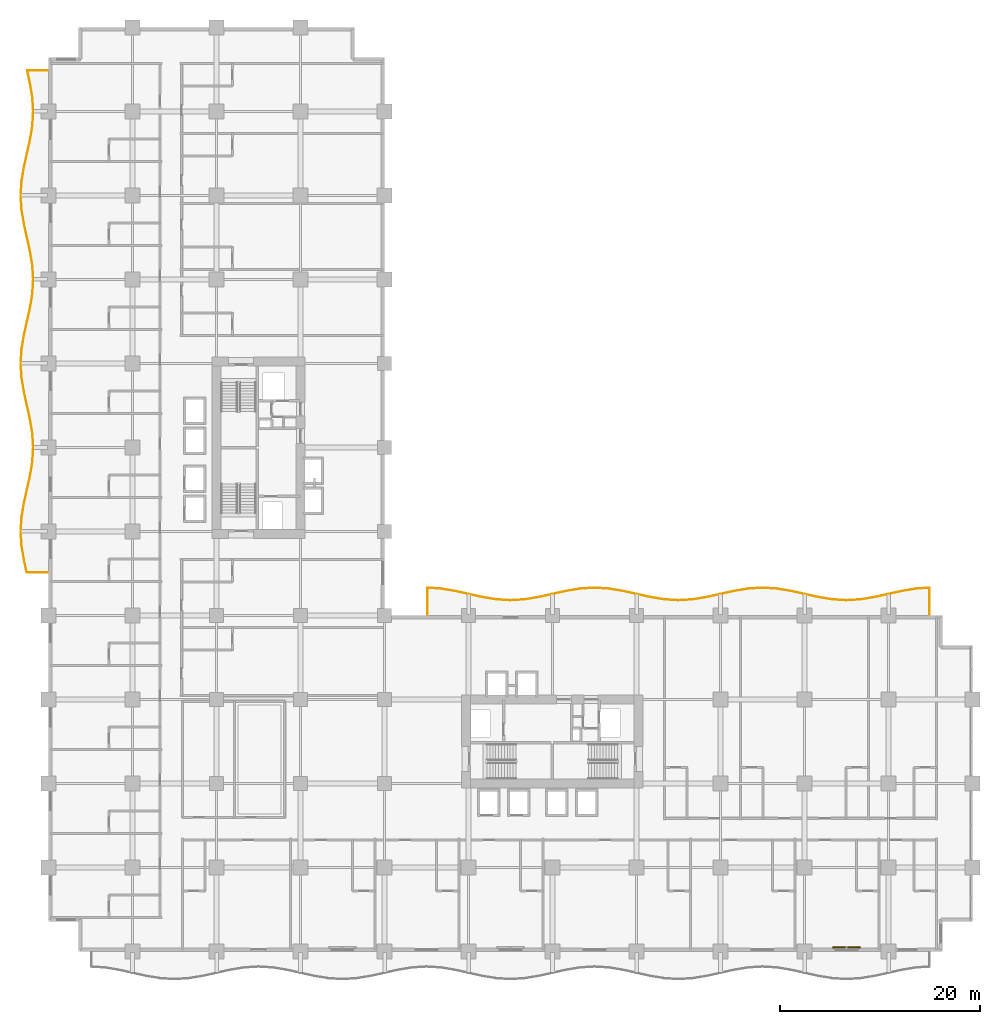
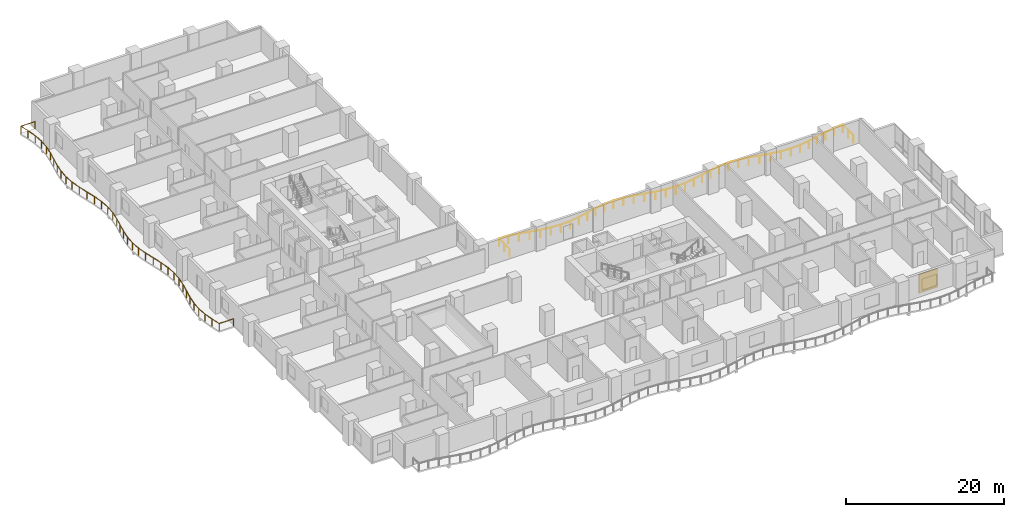
# One storey, part 26 of 26: 2 railings, 1 shading device.
"""IFC4 building model written with IfcOpenShell, lengths in metres."""

from ifc_helpers import new_model, si_unit, direction, frame, origin, origin_2d, place, context, subcontext, project, spatial, rectangle, circle, extrude, material, layer, layer_set, type_object, element, save


model = new_model("IFC4")

# Units and contexts
model_context = context("Model", 3, precision=1e-05, world=origin(), true_north=direction((0.0, 1.0)))
body_context = subcontext(model_context, "Body", "Model", "MODEL_VIEW")
ifc_project = project(units=[si_unit("LENGTHUNIT", "METRE"), si_unit("AREAUNIT", "SQUARE_METRE"), si_unit("VOLUMEUNIT", "CUBIC_METRE"), si_unit("PLANEANGLEUNIT", "RADIAN"), si_unit("MASSUNIT", "GRAM", prefix="KILO")], contexts=[model_context])

# Site, building, storey
site_placement = place(None, origin())
site = spatial("IfcSite", under=ifc_project, at=site_placement, CompositionType="ELEMENT")
building_placement = place(site_placement, origin())
building = spatial("IfcBuilding", under=site, at=building_placement, Name="Koriwani Terraces Tower", CompositionType="ELEMENT")
storey_placement = place(building_placement, frame((0.0, 0.0, 39.60009765625)))
storey = spatial("IfcBuildingStorey", under=building, at=storey_placement, Name="L08", CompositionType="ELEMENT", Elevation=39.60009765625)

# Railings
ifc_material_1 = material(Name="Steel ASTM A572 Grade 50", Category="steel")
railing_type = type_object("IfcRailingType", Name="GUARD_BALUSTRADE_1150", PredefinedType="BALUSTRADE", material=ifc_material_1)
railing_1_placement = place(storey_placement, frame((-0.080078125, 37.8798828125, 0.0)))
element("IfcRailing", 1, at=railing_1_placement, inside=storey, type_object=railing_type, Name="L08 Balcony Perimeter Safety Balustrade (W)", PredefinedType="BALUSTRADE", context=body_context, shape_type="SweptSolid", body=[
    extrude(circle(Radius=0.02392578125, at=origin_2d()), frame((0.0, 0.0, 1.1259765625), z_axis=(-1.0, 0.0, 0.0), x_axis=(0.0, -1.0, 0.0)), (0.0, 0.0, 1.0), 2.080810546875),
    extrude(circle(Radius=0.02392578125, at=origin_2d()), frame((-2.080810546875, 0.0, 1.1259765625), z_axis=(-0.217894011137, 0.97597243809, 0.0), x_axis=(-0.97597243809, -0.217894011137, 0.0)), (0.0, 0.0, 1.0), 1.3681640625),
    extrude(circle(Radius=0.02392578125, at=origin_2d()), frame((-2.37890625, 1.335205078125, 1.1259765625), z_axis=(-0.161286532042, 0.986907622111, 0.0), x_axis=(-0.986907622111, -0.161286532042, 0.0)), (0.0, 0.0, 1.0), 1.412353515625),
    extrude(circle(Radius=0.02392578125, at=origin_2d()), frame((-2.606689453125, 2.72900390625, 1.1259765625), z_axis=(-0.059738678687, 0.998214050326, 0.0), x_axis=(-0.998214050326, -0.059738678687, 0.0)), (0.0, 0.0, 1.0), 1.3935546875),
    extrude(circle(Radius=0.02392578125, at=origin_2d()), frame((-2.68994140625, 4.1201171875, 1.1259765625), z_axis=(0.059738678687, 0.998214050326, 0.0), x_axis=(-0.998214050326, 0.059738678687, 0.0)), (0.0, 0.0, 1.0), 1.3935546875),
    extrude(circle(Radius=0.02392578125, at=origin_2d()), frame((-2.606689453125, 5.51123046875, 1.1259765625), z_axis=(0.161286532042, 0.986907622111, 0.0), x_axis=(-0.986907622111, 0.161286532042, 0.0)), (0.0, 0.0, 1.0), 1.412353515625),
    extrude(circle(Radius=0.02392578125, at=origin_2d()), frame((-2.37890625, 6.905029296875, 1.1259765625), z_axis=(0.217867508535, 0.97597835464, 0.0), x_axis=(-0.97597835464, 0.217867508535, 0.0)), (0.0, 0.0, 1.0), 2.86865234375),
    extrude(circle(Radius=0.02392578125, at=origin_2d()), frame((-1.75390625, 9.704833984375, 1.1259765625), z_axis=(0.161203411159, 0.986921202645, 0.0), x_axis=(-0.986921202645, 0.161203411159, 0.0)), (0.0, 0.0, 1.0), 1.425048828125),
    extrude(circle(Radius=0.02392578125, at=origin_2d()), frame((-1.524169921875, 11.111328125, 1.1259765625), z_axis=(0.059685432622, 0.998217235442, 0.0), x_axis=(-0.998217235442, 0.059685432622, 0.0)), (0.0, 0.0, 1.0), 1.4111328125),
    extrude(circle(Radius=0.02392578125, at=origin_2d()), frame((-1.43994140625, 12.52001953125, 1.1259765625), z_axis=(-0.059675127152, 0.998217851573, 0.0), x_axis=(-0.998217851573, -0.059675127152, 0.0)), (0.0, 0.0, 1.0), 1.411376953125),
    extrude(circle(Radius=0.02392578125, at=origin_2d()), frame((-1.524169921875, 13.928955078125, 1.1259765625), z_axis=(-0.161230670401, 0.986916749742, 0.0), x_axis=(-0.986916749742, -0.161230670401, 0.0)), (0.0, 0.0, 1.0), 1.4248046875),
    extrude(circle(Radius=0.02392578125, at=origin_2d()), frame((-1.75390625, 15.335205078125, 1.1259765625), z_axis=(-0.217849413893, 0.975982393728, 0.0), x_axis=(-0.975982393728, -0.217849413893, 0.0)), (0.0, 0.0, 1.0), 2.868896484375),
    extrude(circle(Radius=0.02392578125, at=origin_2d()), frame((-2.37890625, 18.13525390625, 1.1259765625), z_axis=(-0.161286532042, 0.986907622111, 0.0), x_axis=(-0.986907622111, -0.161286532042, 0.0)), (0.0, 0.0, 1.0), 1.412353515625),
    extrude(circle(Radius=0.02392578125, at=origin_2d()), frame((-2.606689453125, 19.529052734375, 1.1259765625), z_axis=(-0.059738678687, 0.998214050326, 0.0), x_axis=(-0.998214050326, -0.059738678687, 0.0)), (0.0, 0.0, 1.0), 1.3935546875),
    extrude(circle(Radius=0.02392578125, at=origin_2d()), frame((-2.68994140625, 20.920166015625, 1.1259765625), z_axis=(0.059738678687, 0.998214050326, 0.0), x_axis=(-0.998214050326, 0.059738678687, 0.0)), (0.0, 0.0, 1.0), 1.3935546875),
    extrude(circle(Radius=0.02392578125, at=origin_2d()), frame((-2.606689453125, 22.311279296875, 1.1259765625), z_axis=(0.16131405304, 0.986903124066, 0.0), x_axis=(-0.986903124066, 0.16131405304, 0.0)), (0.0, 0.0, 1.0), 1.412109375),
    extrude(circle(Radius=0.02392578125, at=origin_2d()), frame((-2.37890625, 23.704833984375, 1.1259765625), z_axis=(0.217849413893, 0.975982393728, 0.0), x_axis=(-0.975982393728, 0.217849413893, 0.0)), (0.0, 0.0, 1.0), 2.868896484375),
    extrude(circle(Radius=0.02392578125, at=origin_2d()), frame((-1.75390625, 26.5048828125, 1.1259765625), z_axis=(0.161203411159, 0.986921202645, 0.0), x_axis=(-0.986921202645, 0.161203411159, 0.0)), (0.0, 0.0, 1.0), 1.425048828125),
    extrude(circle(Radius=0.02392578125, at=origin_2d()), frame((-1.524169921875, 27.911376953125, 1.1259765625), z_axis=(0.059685432622, 0.998217235442, 0.0), x_axis=(-0.998217235442, 0.059685432622, 0.0)), (0.0, 0.0, 1.0), 1.4111328125),
    extrude(circle(Radius=0.02392578125, at=origin_2d()), frame((-1.43994140625, 29.320068359375, 1.1259765625), z_axis=(-0.059675127152, 0.998217851573, 0.0), x_axis=(-0.998217851573, -0.059675127152, 0.0)), (0.0, 0.0, 1.0), 1.411376953125),
    extrude(circle(Radius=0.02392578125, at=origin_2d()), frame((-1.524169921875, 30.72900390625, 1.1259765625), z_axis=(-0.161230670401, 0.986916749742, 0.0), x_axis=(-0.986916749742, -0.161230670401, 0.0)), (0.0, 0.0, 1.0), 1.4248046875),
    extrude(circle(Radius=0.02392578125, at=origin_2d()), frame((-1.75390625, 32.13525390625, 1.1259765625), z_axis=(-0.217849413893, 0.975982393728, 0.0), x_axis=(-0.975982393728, -0.217849413893, 0.0)), (0.0, 0.0, 1.0), 2.868896484375),
    extrude(circle(Radius=0.02392578125, at=origin_2d()), frame((-2.37890625, 34.935302734375, 1.1259765625), z_axis=(-0.161286532042, 0.986907622111, 0.0), x_axis=(-0.986907622111, -0.161286532042, 0.0)), (0.0, 0.0, 1.0), 1.412353515625),
    extrude(circle(Radius=0.02392578125, at=origin_2d()), frame((-2.606689453125, 36.3291015625, 1.1259765625), z_axis=(-0.059738678687, 0.998214050326, 0.0), x_axis=(-0.998214050326, -0.059738678687, 0.0)), (0.0, 0.0, 1.0), 1.3935546875),
    extrude(circle(Radius=0.02392578125, at=origin_2d()), frame((-2.68994140625, 37.72021484375, 1.1259765625), z_axis=(0.059738678687, 0.998214050326, 0.0), x_axis=(-0.998214050326, 0.059738678687, 0.0)), (0.0, 0.0, 1.0), 1.3935546875),
    extrude(circle(Radius=0.02392578125, at=origin_2d()), frame((-2.606689453125, 39.111328125, 1.1259765625), z_axis=(0.16131405304, 0.986903124066, 0.0), x_axis=(-0.986903124066, 0.16131405304, 0.0)), (0.0, 0.0, 1.0), 1.412109375),
    extrude(circle(Radius=0.02392578125, at=origin_2d()), frame((-2.37890625, 40.5048828125, 1.1259765625), z_axis=(0.217849413893, 0.975982393728, 0.0), x_axis=(-0.975982393728, 0.217849413893, 0.0)), (0.0, 0.0, 1.0), 2.868896484375),
    extrude(circle(Radius=0.02392578125, at=origin_2d()), frame((-1.75390625, 43.304931640625, 1.1259765625), z_axis=(0.161203411159, 0.986921202645, 0.0), x_axis=(-0.986921202645, 0.161203411159, 0.0)), (0.0, 0.0, 1.0), 1.425048828125),
    extrude(circle(Radius=0.02392578125, at=origin_2d()), frame((-1.524169921875, 44.71142578125, 1.1259765625), z_axis=(0.059685432622, 0.998217235442, 0.0), x_axis=(-0.998217235442, 0.059685432622, 0.0)), (0.0, 0.0, 1.0), 1.4111328125),
    extrude(circle(Radius=0.02392578125, at=origin_2d()), frame((-1.43994140625, 46.1201171875, 1.1259765625), z_axis=(-0.059685432622, 0.998217235442, 0.0), x_axis=(-0.998217235442, -0.059685432622, 0.0)), (0.0, 0.0, 1.0), 1.4111328125),
    extrude(circle(Radius=0.02392578125, at=origin_2d()), frame((-1.524169921875, 47.52880859375, 1.1259765625), z_axis=(-0.161203411159, 0.986921202645, 0.0), x_axis=(-0.986921202645, -0.161203411159, 0.0)), (0.0, 0.0, 1.0), 1.425048828125),
    extrude(circle(Radius=0.02392578125, at=origin_2d()), frame((-1.75390625, 48.935302734375, 1.1259765625), z_axis=(-0.217839055917, 0.975984705678, 0.0), x_axis=(-0.975984705678, -0.217839055917, 0.0)), (0.0, 0.0, 1.0), 1.337158203125),
    extrude(circle(Radius=0.02392578125, at=origin_2d()), frame((-2.045166015625, 50.240234375, 1.1259765625), z_axis=(1.0, 0.0, 0.0), x_axis=(0.0, 1.0, 0.0)), (0.0, 0.0, 1.0), 2.045166015625),
    extrude(circle(Radius=0.02099609375, at=origin_2d()), origin(), (0.0, 0.0, 1.0), 1.101806640625),
    extrude(circle(Radius=0.02099609375, at=origin_2d()), frame((-2.080810546875, 0.0, 0.0)), (0.0, 0.0, 1.0), 1.101806640625),
    extrude(circle(Radius=0.02099609375, at=origin_2d()), frame((-2.37890625, 1.335205078125, 0.0)), (0.0, 0.0, 1.0), 1.101806640625),
    extrude(circle(Radius=0.02099609375, at=origin_2d()), frame((-2.606689453125, 2.72900390625, 0.0)), (0.0, 0.0, 1.0), 1.101806640625),
    extrude(circle(Radius=0.02099609375, at=origin_2d()), frame((-2.68994140625, 4.1201171875, 0.0)), (0.0, 0.0, 1.0), 1.101806640625),
    extrude(circle(Radius=0.02099609375, at=origin_2d()), frame((-2.606689453125, 5.51123046875, 0.0)), (0.0, 0.0, 1.0), 1.101806640625),
    extrude(circle(Radius=0.02099609375, at=origin_2d()), frame((-2.37890625, 6.905029296875, 0.0)), (0.0, 0.0, 1.0), 1.101806640625),
    extrude(circle(Radius=0.02099609375, at=origin_2d()), frame((-2.06640625, 8.304931640625, 0.0)), (0.0, 0.0, 1.0), 1.101806640625),
    extrude(circle(Radius=0.02099609375, at=origin_2d()), frame((-1.75390625, 9.704833984375, 0.0)), (0.0, 0.0, 1.0), 1.101806640625),
    extrude(circle(Radius=0.02099609375, at=origin_2d()), frame((-1.524169921875, 11.111328125, 0.0)), (0.0, 0.0, 1.0), 1.101806640625),
    extrude(circle(Radius=0.02099609375, at=origin_2d()), frame((-1.43994140625, 12.52001953125, 0.0)), (0.0, 0.0, 1.0), 1.101806640625),
    extrude(circle(Radius=0.02099609375, at=origin_2d()), frame((-1.524169921875, 13.928955078125, 0.0)), (0.0, 0.0, 1.0), 1.101806640625),
    extrude(circle(Radius=0.02099609375, at=origin_2d()), frame((-1.75390625, 15.335205078125, 0.0)), (0.0, 0.0, 1.0), 1.101806640625),
    extrude(circle(Radius=0.02099609375, at=origin_2d()), frame((-2.06640625, 16.7353515625, 0.0)), (0.0, 0.0, 1.0), 1.101806640625),
    extrude(circle(Radius=0.02099609375, at=origin_2d()), frame((-2.37890625, 18.13525390625, 0.0)), (0.0, 0.0, 1.0), 1.101806640625),
    extrude(circle(Radius=0.02099609375, at=origin_2d()), frame((-2.606689453125, 19.529052734375, 0.0)), (0.0, 0.0, 1.0), 1.101806640625),
    extrude(circle(Radius=0.02099609375, at=origin_2d()), frame((-2.68994140625, 20.920166015625, 0.0)), (0.0, 0.0, 1.0), 1.101806640625),
    extrude(circle(Radius=0.02099609375, at=origin_2d()), frame((-2.606689453125, 22.311279296875, 0.0)), (0.0, 0.0, 1.0), 1.101806640625),
    extrude(circle(Radius=0.02099609375, at=origin_2d()), frame((-2.37890625, 23.704833984375, 0.0)), (0.0, 0.0, 1.0), 1.101806640625),
    extrude(circle(Radius=0.02099609375, at=origin_2d()), frame((-2.06640625, 25.10498046875, 0.0)), (0.0, 0.0, 1.0), 1.101806640625),
    extrude(circle(Radius=0.02099609375, at=origin_2d()), frame((-1.75390625, 26.5048828125, 0.0)), (0.0, 0.0, 1.0), 1.101806640625),
    extrude(circle(Radius=0.02099609375, at=origin_2d()), frame((-1.524169921875, 27.911376953125, 0.0)), (0.0, 0.0, 1.0), 1.101806640625),
    extrude(circle(Radius=0.02099609375, at=origin_2d()), frame((-1.43994140625, 29.320068359375, 0.0)), (0.0, 0.0, 1.0), 1.101806640625),
    extrude(circle(Radius=0.02099609375, at=origin_2d()), frame((-1.524169921875, 30.72900390625, 0.0)), (0.0, 0.0, 1.0), 1.101806640625),
    extrude(circle(Radius=0.02099609375, at=origin_2d()), frame((-1.75390625, 32.13525390625, 0.0)), (0.0, 0.0, 1.0), 1.101806640625),
    extrude(circle(Radius=0.02099609375, at=origin_2d()), frame((-2.06640625, 33.53515625, 0.0)), (0.0, 0.0, 1.0), 1.101806640625),
    extrude(circle(Radius=0.02099609375, at=origin_2d()), frame((-2.37890625, 34.935302734375, 0.0)), (0.0, 0.0, 1.0), 1.101806640625),
    extrude(circle(Radius=0.02099609375, at=origin_2d()), frame((-2.606689453125, 36.3291015625, 0.0)), (0.0, 0.0, 1.0), 1.101806640625),
    extrude(circle(Radius=0.02099609375, at=origin_2d()), frame((-2.68994140625, 37.72021484375, 0.0)), (0.0, 0.0, 1.0), 1.101806640625),
    extrude(circle(Radius=0.02099609375, at=origin_2d()), frame((-2.606689453125, 39.111328125, 0.0)), (0.0, 0.0, 1.0), 1.101806640625),
    extrude(circle(Radius=0.02099609375, at=origin_2d()), frame((-2.37890625, 40.5048828125, 0.0)), (0.0, 0.0, 1.0), 1.101806640625),
    extrude(circle(Radius=0.02099609375, at=origin_2d()), frame((-2.06640625, 41.90478515625, 0.0)), (0.0, 0.0, 1.0), 1.101806640625),
    extrude(circle(Radius=0.02099609375, at=origin_2d()), frame((-1.75390625, 43.304931640625, 0.0)), (0.0, 0.0, 1.0), 1.101806640625),
    extrude(circle(Radius=0.02099609375, at=origin_2d()), frame((-1.524169921875, 44.71142578125, 0.0)), (0.0, 0.0, 1.0), 1.101806640625),
    extrude(circle(Radius=0.02099609375, at=origin_2d()), frame((-1.43994140625, 46.1201171875, 0.0)), (0.0, 0.0, 1.0), 1.101806640625),
    extrude(circle(Radius=0.02099609375, at=origin_2d()), frame((-1.524169921875, 47.52880859375, 0.0)), (0.0, 0.0, 1.0), 1.101806640625),
    extrude(circle(Radius=0.02099609375, at=origin_2d()), frame((-1.75390625, 48.935302734375, 0.0)), (0.0, 0.0, 1.0), 1.101806640625),
    extrude(circle(Radius=0.02099609375, at=origin_2d()), frame((-2.045166015625, 50.240234375, 0.0)), (0.0, 0.0, 1.0), 1.101806640625),
    extrude(circle(Radius=0.02099609375, at=origin_2d()), frame((0.0, 50.240234375, 0.0)), (0.0, 0.0, 1.0), 1.101806640625),
])
railing_2_placement = place(storey_placement, frame((88.1201171875, 33.679931640625, 0.0)))
element("IfcRailing", 2, at=railing_2_placement, inside=storey, type_object=railing_type, Name="L08 Balcony Perimeter Safety Balustrade (NE)", PredefinedType="BALUSTRADE", context=body_context, shape_type="SweptSolid", body=[
    extrude(circle(Radius=0.02392578125, at=origin_2d()), frame((0.0, 0.0, 1.1259765625), z_axis=(0.0, 1.0, 0.0), x_axis=(-1.0, 0.0, 0.0)), (0.0, 0.0, 1.0), 2.68505859375),
    extrude(circle(Radius=0.02392578125, at=origin_2d()), frame((0.0, 2.68505859375, 1.1259765625), z_axis=(-0.998218818314, -0.059658953766, 0.0), x_axis=(0.059658953766, -0.998218818314, 0.0)), (0.0, 0.0, 1.0), 1.313720703125),
    extrude(circle(Radius=0.02392578125, at=origin_2d()), frame((-1.311279296875, 2.606689453125, 1.1259765625), z_axis=(-0.986903124066, -0.16131405304, 0.0), x_axis=(0.16131405304, -0.986903124066, 0.0)), (0.0, 0.0, 1.0), 1.412109375),
    extrude(circle(Radius=0.02392578125, at=origin_2d()), frame((-2.704833984375, 2.37890625, 1.1259765625), z_axis=(-0.976000483873, -0.217768352797, 0.0), x_axis=(0.217768352797, -0.976000483873, 0.0)), (0.0, 0.0, 1.0), 2.868896484375),
    extrude(circle(Radius=0.02392578125, at=origin_2d()), frame((-5.5048828125, 1.754150390625, 1.1259765625), z_axis=(-0.986921202645, -0.161203411159, 0.0), x_axis=(0.161203411159, -0.986921202645, 0.0)), (0.0, 0.0, 1.0), 1.425048828125),
    extrude(circle(Radius=0.02392578125, at=origin_2d()), frame((-6.911376953125, 1.5244140625, 1.1259765625), z_axis=(-0.998217235442, -0.059685432622, 0.0), x_axis=(0.059685432622, -0.998217235442, 0.0)), (0.0, 0.0, 1.0), 1.4111328125),
    extrude(circle(Radius=0.02392578125, at=origin_2d()), frame((-8.320068359375, 1.440185546875, 1.1259765625), z_axis=(-0.998217851573, 0.059675127152, 0.0), x_axis=(-0.059675127152, -0.998217851573, 0.0)), (0.0, 0.0, 1.0), 1.411376953125),
    extrude(circle(Radius=0.02392578125, at=origin_2d()), frame((-9.72900390625, 1.5244140625, 1.1259765625), z_axis=(-0.986916749742, 0.161230670401, 0.0), x_axis=(-0.161230670401, -0.986916749742, 0.0)), (0.0, 0.0, 1.0), 1.4248046875),
    extrude(circle(Radius=0.02392578125, at=origin_2d()), frame((-11.13525390625, 1.754150390625, 1.1259765625), z_axis=(-0.976000483873, 0.217768352797, 0.0), x_axis=(-0.217768352797, -0.976000483873, 0.0)), (0.0, 0.0, 1.0), 2.868896484375),
    extrude(circle(Radius=0.02392578125, at=origin_2d()), frame((-13.935302734375, 2.37890625, 1.1259765625), z_axis=(-0.986907622111, 0.161286532042, 0.0), x_axis=(-0.161286532042, -0.986907622111, 0.0)), (0.0, 0.0, 1.0), 1.412353515625),
    extrude(circle(Radius=0.02392578125, at=origin_2d()), frame((-15.3291015625, 2.606689453125, 1.1259765625), z_axis=(-0.998214050326, 0.059738678687, 0.0), x_axis=(-0.059738678687, -0.998214050326, 0.0)), (0.0, 0.0, 1.0), 1.3935546875),
    extrude(circle(Radius=0.02392578125, at=origin_2d()), frame((-16.72021484375, 2.68994140625, 1.1259765625), z_axis=(-0.998214050326, -0.059738678687, 0.0), x_axis=(0.059738678687, -0.998214050326, 0.0)), (0.0, 0.0, 1.0), 1.3935546875),
    extrude(circle(Radius=0.02392578125, at=origin_2d()), frame((-18.111328125, 2.606689453125, 1.1259765625), z_axis=(-0.986903124066, -0.16131405304, 0.0), x_axis=(0.16131405304, -0.986903124066, 0.0)), (0.0, 0.0, 1.0), 1.412109375),
    extrude(circle(Radius=0.02392578125, at=origin_2d()), frame((-19.5048828125, 2.37890625, 1.1259765625), z_axis=(-0.976000483873, -0.217768352797, 0.0), x_axis=(0.217768352797, -0.976000483873, 0.0)), (0.0, 0.0, 1.0), 2.868896484375),
    extrude(circle(Radius=0.02392578125, at=origin_2d()), frame((-22.304931640625, 1.754150390625, 1.1259765625), z_axis=(-0.986921202645, -0.161203411159, 0.0), x_axis=(0.161203411159, -0.986921202645, 0.0)), (0.0, 0.0, 1.0), 1.425048828125),
    extrude(circle(Radius=0.02392578125, at=origin_2d()), frame((-23.71142578125, 1.5244140625, 1.1259765625), z_axis=(-0.998217235442, -0.059685432622, 0.0), x_axis=(0.059685432622, -0.998217235442, 0.0)), (0.0, 0.0, 1.0), 1.4111328125),
    extrude(circle(Radius=0.02392578125, at=origin_2d()), frame((-25.1201171875, 1.440185546875, 1.1259765625), z_axis=(-0.998217235442, 0.059685432622, 0.0), x_axis=(-0.059685432622, -0.998217235442, 0.0)), (0.0, 0.0, 1.0), 1.4111328125),
    extrude(circle(Radius=0.02392578125, at=origin_2d()), frame((-26.52880859375, 1.5244140625, 1.1259765625), z_axis=(-0.986921202645, 0.161203411159, 0.0), x_axis=(-0.161203411159, -0.986921202645, 0.0)), (0.0, 0.0, 1.0), 1.425048828125),
    extrude(circle(Radius=0.02392578125, at=origin_2d()), frame((-27.935302734375, 1.754150390625, 1.1259765625), z_axis=(-0.976000483873, 0.217768352797, 0.0), x_axis=(-0.217768352797, -0.976000483873, 0.0)), (0.0, 0.0, 1.0), 2.868896484375),
    extrude(circle(Radius=0.02392578125, at=origin_2d()), frame((-30.7353515625, 2.37890625, 1.1259765625), z_axis=(-0.986903124066, 0.16131405304, 0.0), x_axis=(-0.16131405304, -0.986903124066, 0.0)), (0.0, 0.0, 1.0), 1.412109375),
    extrude(circle(Radius=0.02392578125, at=origin_2d()), frame((-32.12890625, 2.606689453125, 1.1259765625), z_axis=(-0.998214050326, 0.059738678687, 0.0), x_axis=(-0.059738678687, -0.998214050326, 0.0)), (0.0, 0.0, 1.0), 1.3935546875),
    extrude(circle(Radius=0.02392578125, at=origin_2d()), frame((-33.52001953125, 2.68994140625, 1.1259765625), z_axis=(-0.998214050326, -0.059738678687, 0.0), x_axis=(0.059738678687, -0.998214050326, 0.0)), (0.0, 0.0, 1.0), 1.3935546875),
    extrude(circle(Radius=0.02392578125, at=origin_2d()), frame((-34.9111328125, 2.606689453125, 1.1259765625), z_axis=(-0.986907622111, -0.161286532042, 0.0), x_axis=(0.161286532042, -0.986907622111, 0.0)), (0.0, 0.0, 1.0), 1.412353515625),
    extrude(circle(Radius=0.02392578125, at=origin_2d()), frame((-36.304931640625, 2.37890625, 1.1259765625), z_axis=(-0.976000483873, -0.217768352797, 0.0), x_axis=(0.217768352797, -0.976000483873, 0.0)), (0.0, 0.0, 1.0), 2.868896484375),
    extrude(circle(Radius=0.02392578125, at=origin_2d()), frame((-39.10498046875, 1.754150390625, 1.1259765625), z_axis=(-0.986916749742, -0.161230670401, 0.0), x_axis=(0.161230670401, -0.986916749742, 0.0)), (0.0, 0.0, 1.0), 1.4248046875),
    extrude(circle(Radius=0.02392578125, at=origin_2d()), frame((-40.51123046875, 1.5244140625, 1.1259765625), z_axis=(-0.998217851573, -0.059675127152, 0.0), x_axis=(0.059675127152, -0.998217851573, 0.0)), (0.0, 0.0, 1.0), 1.411376953125),
    extrude(circle(Radius=0.02392578125, at=origin_2d()), frame((-41.920166015625, 1.440185546875, 1.1259765625), z_axis=(-0.998217235442, 0.059685432622, 0.0), x_axis=(-0.059685432622, -0.998217235442, 0.0)), (0.0, 0.0, 1.0), 1.4111328125),
    extrude(circle(Radius=0.02392578125, at=origin_2d()), frame((-43.328857421875, 1.5244140625, 1.1259765625), z_axis=(-0.986921202645, 0.161203411159, 0.0), x_axis=(-0.161203411159, -0.986921202645, 0.0)), (0.0, 0.0, 1.0), 1.425048828125),
    extrude(circle(Radius=0.02392578125, at=origin_2d()), frame((-44.7353515625, 1.754150390625, 1.1259765625), z_axis=(-0.976000483873, 0.217768352797, 0.0), x_axis=(-0.217768352797, -0.976000483873, 0.0)), (0.0, 0.0, 1.0), 2.868896484375),
    extrude(circle(Radius=0.02392578125, at=origin_2d()), frame((-47.535400390625, 2.37890625, 1.1259765625), z_axis=(-0.986903124066, 0.16131405304, 0.0), x_axis=(-0.16131405304, -0.986903124066, 0.0)), (0.0, 0.0, 1.0), 1.412109375),
    extrude(circle(Radius=0.02392578125, at=origin_2d()), frame((-48.928955078125, 2.606689453125, 1.1259765625), z_axis=(-0.998218818314, 0.059658953766, 0.0), x_axis=(-0.059658953766, -0.998218818314, 0.0)), (0.0, 0.0, 1.0), 1.313720703125),
    extrude(circle(Radius=0.02392578125, at=origin_2d()), frame((-50.240234375, 2.68505859375, 1.1259765625), z_axis=(0.0, -1.0, 0.0), x_axis=(1.0, 0.0, 0.0)), (0.0, 0.0, 1.0), 2.68505859375),
    extrude(circle(Radius=0.02099609375, at=origin_2d()), origin(), (0.0, 0.0, 1.0), 1.101806640625),
    extrude(circle(Radius=0.02099609375, at=origin_2d()), frame((0.0, 1.342529296875, 0.0)), (0.0, 0.0, 1.0), 1.101806640625),
    extrude(circle(Radius=0.02099609375, at=origin_2d()), frame((0.0, 2.68505859375, 0.0)), (0.0, 0.0, 1.0), 1.101806640625),
    extrude(circle(Radius=0.02099609375, at=origin_2d()), frame((-1.311279296875, 2.606689453125, 0.0)), (0.0, 0.0, 1.0), 1.101806640625),
    extrude(circle(Radius=0.02099609375, at=origin_2d()), frame((-2.704833984375, 2.37890625, 0.0)), (0.0, 0.0, 1.0), 1.101806640625),
    extrude(circle(Radius=0.02099609375, at=origin_2d()), frame((-4.10498046875, 2.06640625, 0.0)), (0.0, 0.0, 1.0), 1.101806640625),
    extrude(circle(Radius=0.02099609375, at=origin_2d()), frame((-5.5048828125, 1.754150390625, 0.0)), (0.0, 0.0, 1.0), 1.101806640625),
    extrude(circle(Radius=0.02099609375, at=origin_2d()), frame((-6.911376953125, 1.5244140625, 0.0)), (0.0, 0.0, 1.0), 1.101806640625),
    extrude(circle(Radius=0.02099609375, at=origin_2d()), frame((-8.320068359375, 1.440185546875, 0.0)), (0.0, 0.0, 1.0), 1.101806640625),
    extrude(circle(Radius=0.02099609375, at=origin_2d()), frame((-9.72900390625, 1.5244140625, 0.0)), (0.0, 0.0, 1.0), 1.101806640625),
    extrude(circle(Radius=0.02099609375, at=origin_2d()), frame((-11.13525390625, 1.754150390625, 0.0)), (0.0, 0.0, 1.0), 1.101806640625),
    extrude(circle(Radius=0.02099609375, at=origin_2d()), frame((-12.53515625, 2.06640625, 0.0)), (0.0, 0.0, 1.0), 1.101806640625),
    extrude(circle(Radius=0.02099609375, at=origin_2d()), frame((-13.935302734375, 2.37890625, 0.0)), (0.0, 0.0, 1.0), 1.101806640625),
    extrude(circle(Radius=0.02099609375, at=origin_2d()), frame((-15.3291015625, 2.606689453125, 0.0)), (0.0, 0.0, 1.0), 1.101806640625),
    extrude(circle(Radius=0.02099609375, at=origin_2d()), frame((-16.72021484375, 2.68994140625, 0.0)), (0.0, 0.0, 1.0), 1.101806640625),
    extrude(circle(Radius=0.02099609375, at=origin_2d()), frame((-18.111328125, 2.606689453125, 0.0)), (0.0, 0.0, 1.0), 1.101806640625),
    extrude(circle(Radius=0.02099609375, at=origin_2d()), frame((-19.5048828125, 2.37890625, 0.0)), (0.0, 0.0, 1.0), 1.101806640625),
    extrude(circle(Radius=0.02099609375, at=origin_2d()), frame((-20.90478515625, 2.06640625, 0.0)), (0.0, 0.0, 1.0), 1.101806640625),
    extrude(circle(Radius=0.02099609375, at=origin_2d()), frame((-22.304931640625, 1.754150390625, 0.0)), (0.0, 0.0, 1.0), 1.101806640625),
    extrude(circle(Radius=0.02099609375, at=origin_2d()), frame((-23.71142578125, 1.5244140625, 0.0)), (0.0, 0.0, 1.0), 1.101806640625),
    extrude(circle(Radius=0.02099609375, at=origin_2d()), frame((-25.1201171875, 1.440185546875, 0.0)), (0.0, 0.0, 1.0), 1.101806640625),
    extrude(circle(Radius=0.02099609375, at=origin_2d()), frame((-26.52880859375, 1.5244140625, 0.0)), (0.0, 0.0, 1.0), 1.101806640625),
    extrude(circle(Radius=0.02099609375, at=origin_2d()), frame((-27.935302734375, 1.754150390625, 0.0)), (0.0, 0.0, 1.0), 1.101806640625),
    extrude(circle(Radius=0.02099609375, at=origin_2d()), frame((-29.33544921875, 2.06640625, 0.0)), (0.0, 0.0, 1.0), 1.101806640625),
    extrude(circle(Radius=0.02099609375, at=origin_2d()), frame((-30.7353515625, 2.37890625, 0.0)), (0.0, 0.0, 1.0), 1.101806640625),
    extrude(circle(Radius=0.02099609375, at=origin_2d()), frame((-32.12890625, 2.606689453125, 0.0)), (0.0, 0.0, 1.0), 1.101806640625),
    extrude(circle(Radius=0.02099609375, at=origin_2d()), frame((-33.52001953125, 2.68994140625, 0.0)), (0.0, 0.0, 1.0), 1.101806640625),
    extrude(circle(Radius=0.02099609375, at=origin_2d()), frame((-34.9111328125, 2.606689453125, 0.0)), (0.0, 0.0, 1.0), 1.101806640625),
    extrude(circle(Radius=0.02099609375, at=origin_2d()), frame((-36.304931640625, 2.37890625, 0.0)), (0.0, 0.0, 1.0), 1.101806640625),
    extrude(circle(Radius=0.02099609375, at=origin_2d()), frame((-37.705078125, 2.06640625, 0.0)), (0.0, 0.0, 1.0), 1.101806640625),
    extrude(circle(Radius=0.02099609375, at=origin_2d()), frame((-39.10498046875, 1.754150390625, 0.0)), (0.0, 0.0, 1.0), 1.101806640625),
    extrude(circle(Radius=0.02099609375, at=origin_2d()), frame((-40.51123046875, 1.5244140625, 0.0)), (0.0, 0.0, 1.0), 1.101806640625),
    extrude(circle(Radius=0.02099609375, at=origin_2d()), frame((-41.920166015625, 1.440185546875, 0.0)), (0.0, 0.0, 1.0), 1.101806640625),
    extrude(circle(Radius=0.02099609375, at=origin_2d()), frame((-43.328857421875, 1.5244140625, 0.0)), (0.0, 0.0, 1.0), 1.101806640625),
    extrude(circle(Radius=0.02099609375, at=origin_2d()), frame((-44.7353515625, 1.754150390625, 0.0)), (0.0, 0.0, 1.0), 1.101806640625),
    extrude(circle(Radius=0.02099609375, at=origin_2d()), frame((-46.13525390625, 2.06640625, 0.0)), (0.0, 0.0, 1.0), 1.101806640625),
    extrude(circle(Radius=0.02099609375, at=origin_2d()), frame((-47.535400390625, 2.37890625, 0.0)), (0.0, 0.0, 1.0), 1.101806640625),
    extrude(circle(Radius=0.02099609375, at=origin_2d()), frame((-48.928955078125, 2.606689453125, 0.0)), (0.0, 0.0, 1.0), 1.101806640625),
    extrude(circle(Radius=0.02099609375, at=origin_2d()), frame((-50.240234375, 2.68505859375, 0.0)), (0.0, 0.0, 1.0), 1.101806640625),
    extrude(circle(Radius=0.02099609375, at=origin_2d()), frame((-50.240234375, 1.342529296875, 0.0)), (0.0, 0.0, 1.0), 1.101806640625),
    extrude(circle(Radius=0.02099609375, at=origin_2d()), frame((-50.240234375, 0.0, 0.0)), (0.0, 0.0, 1.0), 1.101806640625),
])

# Shading device
ifc_material_2 = material(Name="Extruded Terracotta Clay", Category="masonry")
ifc_layer = layer(ifc_material_2, 0.1201171875, Name="Extruded Terracotta Clay")
ifc_layer_set = layer_set([ifc_layer], Name="Extruded Terracotta Clay")
shading_device_type = type_object("IfcShadingDeviceType", Name="TERRACOTTA_BAGUETTE_SCREEN_2800", PredefinedType="USERDEFINED", material=ifc_layer_set)
shading_device_placement = place(storey_placement, frame((79.800048828125, 0.405029296875, 0.324951171875), z_axis=(0.0, 0.0, 1.0), x_axis=(-1.0, 0.0, 0.0)))
element("IfcShadingDevice", 3, at=shading_device_placement, inside=storey, type_object=shading_device_type, Name="L08 Extruded Terracotta Baguette Screen (S-27)", ObjectType="BAGUETTE", PredefinedType="USERDEFINED", context=body_context, shape_type="SweptSolid", body=[
    extrude(rectangle(XDim=2.760009765625, YDim=0.1201171875, at=origin_2d()), origin(), (0.0, 0.0, 1.0), 2.89990234375),
])

save(model, "model.ifc")
